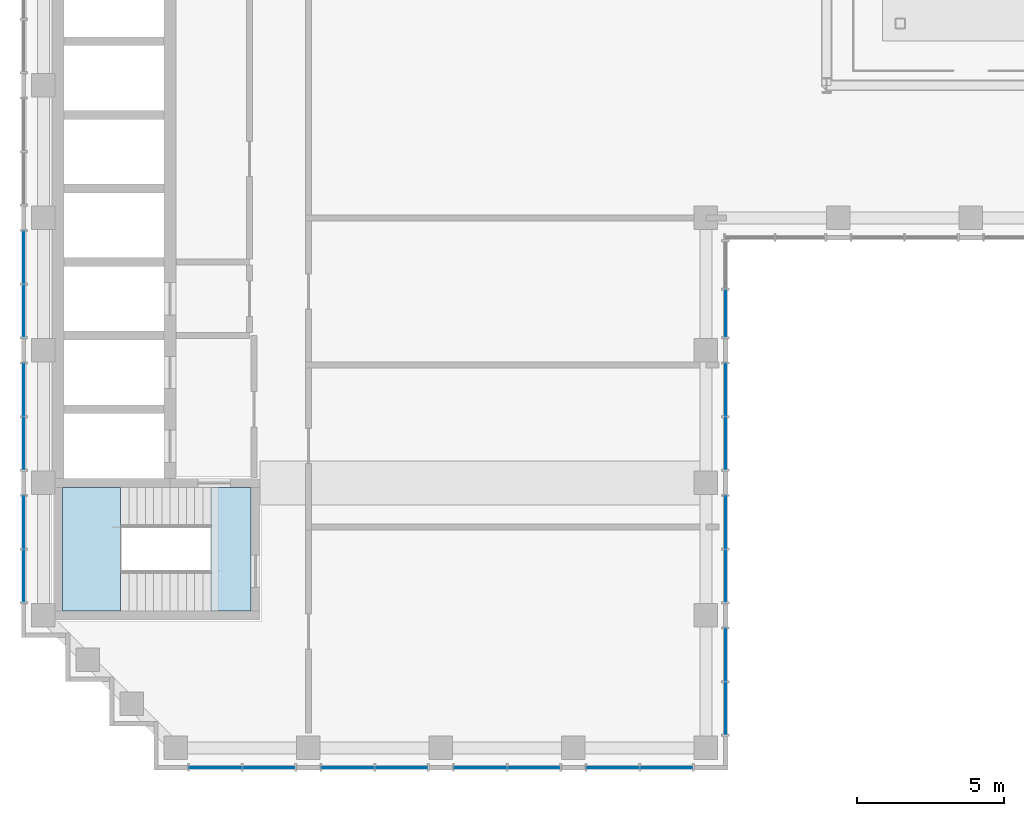
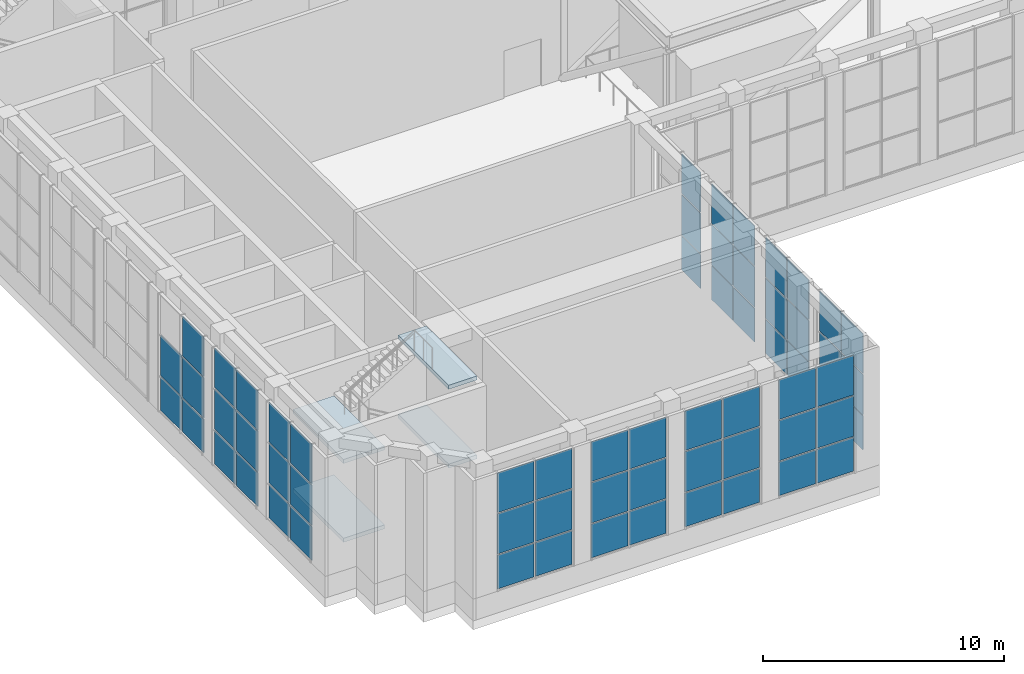
# One storey, part 9 of 17: 62 plates, 4 slabs, 12 elements without a shape of their own.
"""IFC4 building model written with IfcOpenShell, lengths in metres."""

from ifc_helpers import new_model, si_unit, direction, frame, origin, origin_2d, place, context, subcontext, project, spatial, polyline, rectangle, outline, extrude, material, layer, layer_set, type_object, element, aggregate, save


model = new_model("IFC4")

# Units and contexts
model_context = context("Model", 3, precision=1e-05, world=origin(), true_north=direction((0.0, 1.0)))
body_context = subcontext(model_context, "Body", "Model", "MODEL_VIEW")
ifc_project = project(units=[si_unit("LENGTHUNIT", "METRE"), si_unit("AREAUNIT", "SQUARE_METRE"), si_unit("VOLUMEUNIT", "CUBIC_METRE"), si_unit("PLANEANGLEUNIT", "RADIAN"), si_unit("MASSUNIT", "GRAM", prefix="KILO")], contexts=[model_context])

# Site, building, storey
site_placement = place(None, origin())
site = spatial("IfcSite", under=ifc_project, at=site_placement, CompositionType="ELEMENT")
building_placement = place(site_placement, origin())
building = spatial("IfcBuilding", under=site, at=building_placement, Name="Firuza Court", CompositionType="ELEMENT")
storey_placement = place(building_placement, frame((0.0, 0.0, 258.199951171875)))
storey = spatial("IfcBuildingStorey", under=building, at=storey_placement, Name="L67", CompositionType="ELEMENT", Elevation=258.199951171875)

# Curtain wall, plates
ifc_material_1 = material(Name="Aluminium curtain wall, triple clear glazing", Category="aluminium")
curtain_wall_type = type_object("IfcCurtainWallType", Name="Damper hall structural glazing CW4", PredefinedType="NOTDEFINED", material=ifc_material_1)
curtain_wall_1_placement = place(storey_placement, origin())
curtain_wall_1 = element("IfcCurtainWall", 1, at=curtain_wall_1_placement, inside=storey, type_object=curtain_wall_type, Name="Damper hall structural glazing CW4 L67", PredefinedType="NOTDEFINED")
ifc_material_2 = material(Name="Triple clear glazing", Category="glass")
ifc_layer_1 = layer(ifc_material_2, 0.031982421875)
ifc_layer_set_1 = layer_set([ifc_layer_1], Name="Triple clear glazing")
plate_type = type_object("IfcPlateType", Name="Glazed panel 32 CW4", PredefinedType="CURTAIN_PANEL", material=ifc_layer_set_1)
plate_1_placement = place(storey_placement, frame((5.840087890625, 17.330078125, 1.16015625), z_axis=(0.0, 0.0, 1.0), x_axis=(1.0, 0.0, 0.0)))
plate_1 = element("IfcPlate", 2, at=plate_1_placement, type_object=plate_type, Name="CW4 panel 1.1", PredefinedType="CURTAIN_PANEL", context=body_context, shape_type="SweptSolid", body=[
    extrude(rectangle(XDim=1.760009765625, YDim=0.031982421875, at=origin_2d()), origin(), (0.0, 0.0, 1.0), 1.7099609375),
])
plate_2_placement = place(storey_placement, frame((5.840087890625, 17.330078125, 2.929931640625), z_axis=(0.0, 0.0, 1.0), x_axis=(1.0, 0.0, 0.0)))
plate_2 = element("IfcPlate", 3, at=plate_2_placement, type_object=plate_type, Name="CW4 panel 1.2", PredefinedType="CURTAIN_PANEL", context=body_context, shape_type="SweptSolid", body=[
    extrude(rectangle(XDim=1.760009765625, YDim=0.031982421875, at=origin_2d()), origin(), (0.0, 0.0, 1.0), 2.0400390625),
])
plate_3_placement = place(storey_placement, frame((5.840087890625, 17.330078125, 5.0302734375), z_axis=(0.0, 0.0, 1.0), x_axis=(1.0, 0.0, 0.0)))
plate_3 = element("IfcPlate", 4, at=plate_3_placement, type_object=plate_type, Name="CW4 panel 1.3", PredefinedType="CURTAIN_PANEL", context=body_context, shape_type="SweptSolid", body=[
    extrude(rectangle(XDim=1.760009765625, YDim=0.031982421875, at=origin_2d()), origin(), (0.0, 0.0, 1.0), 2.010009765625),
])
plate_4_placement = place(storey_placement, frame((7.659912109375, 17.330078125, 1.16015625), z_axis=(0.0, 0.0, 1.0), x_axis=(1.0, 0.0, 0.0)))
plate_4 = element("IfcPlate", 5, at=plate_4_placement, type_object=plate_type, Name="CW4 panel 2.1", PredefinedType="CURTAIN_PANEL", context=body_context, shape_type="SweptSolid", body=[
    extrude(rectangle(XDim=1.760009765625, YDim=0.031982421875, at=origin_2d()), origin(), (0.0, 0.0, 1.0), 1.7099609375),
])
plate_5_placement = place(storey_placement, frame((7.659912109375, 17.330078125, 2.929931640625), z_axis=(0.0, 0.0, 1.0), x_axis=(1.0, 0.0, 0.0)))
plate_5 = element("IfcPlate", 6, at=plate_5_placement, type_object=plate_type, Name="CW4 panel 2.2", PredefinedType="CURTAIN_PANEL", context=body_context, shape_type="SweptSolid", body=[
    extrude(rectangle(XDim=1.760009765625, YDim=0.031982421875, at=origin_2d()), origin(), (0.0, 0.0, 1.0), 2.0400390625),
])
plate_6_placement = place(storey_placement, frame((7.659912109375, 17.330078125, 5.0302734375), z_axis=(0.0, 0.0, 1.0), x_axis=(1.0, 0.0, 0.0)))
plate_6 = element("IfcPlate", 7, at=plate_6_placement, type_object=plate_type, Name="CW4 panel 2.3", PredefinedType="CURTAIN_PANEL", context=body_context, shape_type="SweptSolid", body=[
    extrude(rectangle(XDim=1.760009765625, YDim=0.031982421875, at=origin_2d()), origin(), (0.0, 0.0, 1.0), 2.010009765625),
])
aggregate(curtain_wall_1, [plate_1, plate_2, plate_3, plate_4, plate_5, plate_6])

curtain_wall_2_placement = place(storey_placement, origin())
curtain_wall_2 = element("IfcCurtainWall", 8, at=curtain_wall_2_placement, inside=storey, type_object=curtain_wall_type, Name="Damper hall structural glazing CW4 L67", PredefinedType="NOTDEFINED")
plate_7_placement = place(storey_placement, frame((10.340087890625, 17.330078125, 1.16015625), z_axis=(0.0, 0.0, 1.0), x_axis=(1.0, 0.0, 0.0)))
plate_7 = element("IfcPlate", 9, at=plate_7_placement, type_object=plate_type, Name="CW4 panel 1.1", PredefinedType="CURTAIN_PANEL", context=body_context, shape_type="SweptSolid", body=[
    extrude(rectangle(XDim=1.760009765625, YDim=0.031982421875, at=origin_2d()), origin(), (0.0, 0.0, 1.0), 1.7099609375),
])
plate_8_placement = place(storey_placement, frame((10.340087890625, 17.330078125, 2.929931640625), z_axis=(0.0, 0.0, 1.0), x_axis=(1.0, 0.0, 0.0)))
plate_8 = element("IfcPlate", 10, at=plate_8_placement, type_object=plate_type, Name="CW4 panel 1.2", PredefinedType="CURTAIN_PANEL", context=body_context, shape_type="SweptSolid", body=[
    extrude(rectangle(XDim=1.760009765625, YDim=0.031982421875, at=origin_2d()), origin(), (0.0, 0.0, 1.0), 2.0400390625),
])
plate_9_placement = place(storey_placement, frame((10.340087890625, 17.330078125, 5.0302734375), z_axis=(0.0, 0.0, 1.0), x_axis=(1.0, 0.0, 0.0)))
plate_9 = element("IfcPlate", 11, at=plate_9_placement, type_object=plate_type, Name="CW4 panel 1.3", PredefinedType="CURTAIN_PANEL", context=body_context, shape_type="SweptSolid", body=[
    extrude(rectangle(XDim=1.760009765625, YDim=0.031982421875, at=origin_2d()), origin(), (0.0, 0.0, 1.0), 2.010009765625),
])
plate_10_placement = place(storey_placement, frame((12.159912109375, 17.330078125, 1.16015625), z_axis=(0.0, 0.0, 1.0), x_axis=(1.0, 0.0, 0.0)))
plate_10 = element("IfcPlate", 12, at=plate_10_placement, type_object=plate_type, Name="CW4 panel 2.1", PredefinedType="CURTAIN_PANEL", context=body_context, shape_type="SweptSolid", body=[
    extrude(rectangle(XDim=1.760009765625, YDim=0.031982421875, at=origin_2d()), origin(), (0.0, 0.0, 1.0), 1.7099609375),
])
plate_11_placement = place(storey_placement, frame((12.159912109375, 17.330078125, 2.929931640625), z_axis=(0.0, 0.0, 1.0), x_axis=(1.0, 0.0, 0.0)))
plate_11 = element("IfcPlate", 13, at=plate_11_placement, type_object=plate_type, Name="CW4 panel 2.2", PredefinedType="CURTAIN_PANEL", context=body_context, shape_type="SweptSolid", body=[
    extrude(rectangle(XDim=1.760009765625, YDim=0.031982421875, at=origin_2d()), origin(), (0.0, 0.0, 1.0), 2.0400390625),
])
plate_12_placement = place(storey_placement, frame((12.159912109375, 17.330078125, 5.0302734375), z_axis=(0.0, 0.0, 1.0), x_axis=(1.0, 0.0, 0.0)))
plate_12 = element("IfcPlate", 14, at=plate_12_placement, type_object=plate_type, Name="CW4 panel 2.3", PredefinedType="CURTAIN_PANEL", context=body_context, shape_type="SweptSolid", body=[
    extrude(rectangle(XDim=1.760009765625, YDim=0.031982421875, at=origin_2d()), origin(), (0.0, 0.0, 1.0), 2.010009765625),
])
aggregate(curtain_wall_2, [plate_7, plate_8, plate_9, plate_10, plate_11, plate_12])

curtain_wall_3_placement = place(storey_placement, origin())
curtain_wall_3 = element("IfcCurtainWall", 15, at=curtain_wall_3_placement, inside=storey, type_object=curtain_wall_type, Name="Damper hall structural glazing CW4 L67", PredefinedType="NOTDEFINED")
plate_13_placement = place(storey_placement, frame((14.840087890625, 17.330078125, 1.16015625), z_axis=(0.0, 0.0, 1.0), x_axis=(1.0, 0.0, 0.0)))
plate_13 = element("IfcPlate", 16, at=plate_13_placement, type_object=plate_type, Name="CW4 panel 1.1", PredefinedType="CURTAIN_PANEL", context=body_context, shape_type="SweptSolid", body=[
    extrude(rectangle(XDim=1.760009765625, YDim=0.031982421875, at=origin_2d()), origin(), (0.0, 0.0, 1.0), 1.7099609375),
])
plate_14_placement = place(storey_placement, frame((14.840087890625, 17.330078125, 2.929931640625), z_axis=(0.0, 0.0, 1.0), x_axis=(1.0, 0.0, 0.0)))
plate_14 = element("IfcPlate", 17, at=plate_14_placement, type_object=plate_type, Name="CW4 panel 1.2", PredefinedType="CURTAIN_PANEL", context=body_context, shape_type="SweptSolid", body=[
    extrude(rectangle(XDim=1.760009765625, YDim=0.031982421875, at=origin_2d()), origin(), (0.0, 0.0, 1.0), 2.0400390625),
])
plate_15_placement = place(storey_placement, frame((14.840087890625, 17.330078125, 5.0302734375), z_axis=(0.0, 0.0, 1.0), x_axis=(1.0, 0.0, 0.0)))
plate_15 = element("IfcPlate", 18, at=plate_15_placement, type_object=plate_type, Name="CW4 panel 1.3", PredefinedType="CURTAIN_PANEL", context=body_context, shape_type="SweptSolid", body=[
    extrude(rectangle(XDim=1.760009765625, YDim=0.031982421875, at=origin_2d()), origin(), (0.0, 0.0, 1.0), 2.010009765625),
])
plate_16_placement = place(storey_placement, frame((16.659912109375, 17.330078125, 1.16015625), z_axis=(0.0, 0.0, 1.0), x_axis=(1.0, 0.0, 0.0)))
plate_16 = element("IfcPlate", 19, at=plate_16_placement, type_object=plate_type, Name="CW4 panel 2.1", PredefinedType="CURTAIN_PANEL", context=body_context, shape_type="SweptSolid", body=[
    extrude(rectangle(XDim=1.760009765625, YDim=0.031982421875, at=origin_2d()), origin(), (0.0, 0.0, 1.0), 1.7099609375),
])
plate_17_placement = place(storey_placement, frame((16.659912109375, 17.330078125, 2.929931640625), z_axis=(0.0, 0.0, 1.0), x_axis=(1.0, 0.0, 0.0)))
plate_17 = element("IfcPlate", 20, at=plate_17_placement, type_object=plate_type, Name="CW4 panel 2.2", PredefinedType="CURTAIN_PANEL", context=body_context, shape_type="SweptSolid", body=[
    extrude(rectangle(XDim=1.760009765625, YDim=0.031982421875, at=origin_2d()), origin(), (0.0, 0.0, 1.0), 2.0400390625),
])
plate_18_placement = place(storey_placement, frame((16.659912109375, 17.330078125, 5.0302734375), z_axis=(0.0, 0.0, 1.0), x_axis=(1.0, 0.0, 0.0)))
plate_18 = element("IfcPlate", 21, at=plate_18_placement, type_object=plate_type, Name="CW4 panel 2.3", PredefinedType="CURTAIN_PANEL", context=body_context, shape_type="SweptSolid", body=[
    extrude(rectangle(XDim=1.760009765625, YDim=0.031982421875, at=origin_2d()), origin(), (0.0, 0.0, 1.0), 2.010009765625),
])
aggregate(curtain_wall_3, [plate_13, plate_14, plate_15, plate_16, plate_17, plate_18])

curtain_wall_4_placement = place(storey_placement, origin())
curtain_wall_4 = element("IfcCurtainWall", 22, at=curtain_wall_4_placement, inside=storey, type_object=curtain_wall_type, Name="Damper hall structural glazing CW4 L67", PredefinedType="NOTDEFINED")
plate_19_placement = place(storey_placement, frame((19.340087890625, 17.330078125, 1.16015625), z_axis=(0.0, 0.0, 1.0), x_axis=(1.0, 0.0, 0.0)))
plate_19 = element("IfcPlate", 23, at=plate_19_placement, type_object=plate_type, Name="CW4 panel 1.1", PredefinedType="CURTAIN_PANEL", context=body_context, shape_type="SweptSolid", body=[
    extrude(rectangle(XDim=1.760009765625, YDim=0.031982421875, at=origin_2d()), origin(), (0.0, 0.0, 1.0), 1.7099609375),
])
plate_20_placement = place(storey_placement, frame((19.340087890625, 17.330078125, 2.929931640625), z_axis=(0.0, 0.0, 1.0), x_axis=(1.0, 0.0, 0.0)))
plate_20 = element("IfcPlate", 24, at=plate_20_placement, type_object=plate_type, Name="CW4 panel 1.2", PredefinedType="CURTAIN_PANEL", context=body_context, shape_type="SweptSolid", body=[
    extrude(rectangle(XDim=1.760009765625, YDim=0.031982421875, at=origin_2d()), origin(), (0.0, 0.0, 1.0), 2.0400390625),
])
plate_21_placement = place(storey_placement, frame((19.340087890625, 17.330078125, 5.0302734375), z_axis=(0.0, 0.0, 1.0), x_axis=(1.0, 0.0, 0.0)))
plate_21 = element("IfcPlate", 25, at=plate_21_placement, type_object=plate_type, Name="CW4 panel 1.3", PredefinedType="CURTAIN_PANEL", context=body_context, shape_type="SweptSolid", body=[
    extrude(rectangle(XDim=1.760009765625, YDim=0.031982421875, at=origin_2d()), origin(), (0.0, 0.0, 1.0), 2.010009765625),
])
plate_22_placement = place(storey_placement, frame((21.159912109375, 17.330078125, 1.16015625), z_axis=(0.0, 0.0, 1.0), x_axis=(1.0, 0.0, 0.0)))
plate_22 = element("IfcPlate", 26, at=plate_22_placement, type_object=plate_type, Name="CW4 panel 2.1", PredefinedType="CURTAIN_PANEL", context=body_context, shape_type="SweptSolid", body=[
    extrude(rectangle(XDim=1.760009765625, YDim=0.031982421875, at=origin_2d()), origin(), (0.0, 0.0, 1.0), 1.7099609375),
])
plate_23_placement = place(storey_placement, frame((21.159912109375, 17.330078125, 2.929931640625), z_axis=(0.0, 0.0, 1.0), x_axis=(1.0, 0.0, 0.0)))
plate_23 = element("IfcPlate", 27, at=plate_23_placement, type_object=plate_type, Name="CW4 panel 2.2", PredefinedType="CURTAIN_PANEL", context=body_context, shape_type="SweptSolid", body=[
    extrude(rectangle(XDim=1.760009765625, YDim=0.031982421875, at=origin_2d()), origin(), (0.0, 0.0, 1.0), 2.0400390625),
])
plate_24_placement = place(storey_placement, frame((21.159912109375, 17.330078125, 5.0302734375), z_axis=(0.0, 0.0, 1.0), x_axis=(1.0, 0.0, 0.0)))
plate_24 = element("IfcPlate", 28, at=plate_24_placement, type_object=plate_type, Name="CW4 panel 2.3", PredefinedType="CURTAIN_PANEL", context=body_context, shape_type="SweptSolid", body=[
    extrude(rectangle(XDim=1.760009765625, YDim=0.031982421875, at=origin_2d()), origin(), (0.0, 0.0, 1.0), 2.010009765625),
])
aggregate(curtain_wall_4, [plate_19, plate_20, plate_21, plate_22, plate_23, plate_24])

curtain_wall_5_placement = place(storey_placement, origin())
curtain_wall_5 = element("IfcCurtainWall", 29, at=curtain_wall_5_placement, inside=storey, type_object=curtain_wall_type, Name="Damper hall structural glazing CW4 L67", PredefinedType="NOTDEFINED")
plate_25_placement = place(storey_placement, frame((23.169921875, 19.340087890625, 1.16015625), z_axis=(0.0, 0.0, 1.0), x_axis=(0.0, 1.0, 0.0)))
plate_25 = element("IfcPlate", 30, at=plate_25_placement, type_object=plate_type, Name="CW4 panel 1.1", PredefinedType="CURTAIN_PANEL", context=body_context, shape_type="SweptSolid", body=[
    extrude(rectangle(XDim=1.760009765625, YDim=0.031982421875, at=origin_2d()), origin(), (0.0, 0.0, 1.0), 1.7099609375),
])
plate_26_placement = place(storey_placement, frame((23.169921875, 19.340087890625, 2.929931640625), z_axis=(0.0, 0.0, 1.0), x_axis=(0.0, 1.0, 0.0)))
plate_26 = element("IfcPlate", 31, at=plate_26_placement, type_object=plate_type, Name="CW4 panel 1.2", PredefinedType="CURTAIN_PANEL", context=body_context, shape_type="SweptSolid", body=[
    extrude(rectangle(XDim=1.760009765625, YDim=0.031982421875, at=origin_2d()), origin(), (0.0, 0.0, 1.0), 2.0400390625),
])
plate_27_placement = place(storey_placement, frame((23.169921875, 19.340087890625, 5.0302734375), z_axis=(0.0, 0.0, 1.0), x_axis=(0.0, 1.0, 0.0)))
plate_27 = element("IfcPlate", 32, at=plate_27_placement, type_object=plate_type, Name="CW4 panel 1.3", PredefinedType="CURTAIN_PANEL", context=body_context, shape_type="SweptSolid", body=[
    extrude(rectangle(XDim=1.760009765625, YDim=0.031982421875, at=origin_2d()), origin(), (0.0, 0.0, 1.0), 2.010009765625),
])
plate_28_placement = place(storey_placement, frame((23.169921875, 21.159912109375, 1.16015625), z_axis=(0.0, 0.0, 1.0), x_axis=(0.0, 1.0, 0.0)))
plate_28 = element("IfcPlate", 33, at=plate_28_placement, type_object=plate_type, Name="CW4 panel 2.1", PredefinedType="CURTAIN_PANEL", context=body_context, shape_type="SweptSolid", body=[
    extrude(rectangle(XDim=1.760009765625, YDim=0.031982421875, at=origin_2d()), origin(), (0.0, 0.0, 1.0), 1.7099609375),
])
plate_29_placement = place(storey_placement, frame((23.169921875, 21.159912109375, 2.929931640625), z_axis=(0.0, 0.0, 1.0), x_axis=(0.0, 1.0, 0.0)))
plate_29 = element("IfcPlate", 34, at=plate_29_placement, type_object=plate_type, Name="CW4 panel 2.2", PredefinedType="CURTAIN_PANEL", context=body_context, shape_type="SweptSolid", body=[
    extrude(rectangle(XDim=1.760009765625, YDim=0.031982421875, at=origin_2d()), origin(), (0.0, 0.0, 1.0), 2.0400390625),
])
plate_30_placement = place(storey_placement, frame((23.169921875, 21.159912109375, 5.0302734375), z_axis=(0.0, 0.0, 1.0), x_axis=(0.0, 1.0, 0.0)))
plate_30 = element("IfcPlate", 35, at=plate_30_placement, type_object=plate_type, Name="CW4 panel 2.3", PredefinedType="CURTAIN_PANEL", context=body_context, shape_type="SweptSolid", body=[
    extrude(rectangle(XDim=1.760009765625, YDim=0.031982421875, at=origin_2d()), origin(), (0.0, 0.0, 1.0), 2.010009765625),
])
aggregate(curtain_wall_5, [plate_25, plate_26, plate_27, plate_28, plate_29, plate_30])

curtain_wall_6_placement = place(storey_placement, origin())
curtain_wall_6 = element("IfcCurtainWall", 36, at=curtain_wall_6_placement, inside=storey, type_object=curtain_wall_type, Name="Damper hall structural glazing CW4 L67", PredefinedType="NOTDEFINED")
plate_31_placement = place(storey_placement, frame((23.169921875, 23.840087890625, 1.16015625), z_axis=(0.0, 0.0, 1.0), x_axis=(0.0, 1.0, 0.0)))
plate_31 = element("IfcPlate", 37, at=plate_31_placement, type_object=plate_type, Name="CW4 panel 1.1", PredefinedType="CURTAIN_PANEL", context=body_context, shape_type="SweptSolid", body=[
    extrude(rectangle(XDim=1.760009765625, YDim=0.031982421875, at=origin_2d()), origin(), (0.0, 0.0, 1.0), 1.7099609375),
])
plate_32_placement = place(storey_placement, frame((23.169921875, 23.840087890625, 2.929931640625), z_axis=(0.0, 0.0, 1.0), x_axis=(0.0, 1.0, 0.0)))
plate_32 = element("IfcPlate", 38, at=plate_32_placement, type_object=plate_type, Name="CW4 panel 1.2", PredefinedType="CURTAIN_PANEL", context=body_context, shape_type="SweptSolid", body=[
    extrude(rectangle(XDim=1.760009765625, YDim=0.031982421875, at=origin_2d()), origin(), (0.0, 0.0, 1.0), 2.0400390625),
])
plate_33_placement = place(storey_placement, frame((23.169921875, 23.840087890625, 5.0302734375), z_axis=(0.0, 0.0, 1.0), x_axis=(0.0, 1.0, 0.0)))
plate_33 = element("IfcPlate", 39, at=plate_33_placement, type_object=plate_type, Name="CW4 panel 1.3", PredefinedType="CURTAIN_PANEL", context=body_context, shape_type="SweptSolid", body=[
    extrude(rectangle(XDim=1.760009765625, YDim=0.031982421875, at=origin_2d()), origin(), (0.0, 0.0, 1.0), 2.010009765625),
])
plate_34_placement = place(storey_placement, frame((23.169921875, 25.659912109375, 1.16015625), z_axis=(0.0, 0.0, 1.0), x_axis=(0.0, 1.0, 0.0)))
plate_34 = element("IfcPlate", 40, at=plate_34_placement, type_object=plate_type, Name="CW4 panel 2.1", PredefinedType="CURTAIN_PANEL", context=body_context, shape_type="SweptSolid", body=[
    extrude(rectangle(XDim=1.760009765625, YDim=0.031982421875, at=origin_2d()), origin(), (0.0, 0.0, 1.0), 1.7099609375),
])
plate_35_placement = place(storey_placement, frame((23.169921875, 25.659912109375, 2.929931640625), z_axis=(0.0, 0.0, 1.0), x_axis=(0.0, 1.0, 0.0)))
plate_35 = element("IfcPlate", 41, at=plate_35_placement, type_object=plate_type, Name="CW4 panel 2.2", PredefinedType="CURTAIN_PANEL", context=body_context, shape_type="SweptSolid", body=[
    extrude(rectangle(XDim=1.760009765625, YDim=0.031982421875, at=origin_2d()), origin(), (0.0, 0.0, 1.0), 2.0400390625),
])
plate_36_placement = place(storey_placement, frame((23.169921875, 25.659912109375, 5.0302734375), z_axis=(0.0, 0.0, 1.0), x_axis=(0.0, 1.0, 0.0)))
plate_36 = element("IfcPlate", 42, at=plate_36_placement, type_object=plate_type, Name="CW4 panel 2.3", PredefinedType="CURTAIN_PANEL", context=body_context, shape_type="SweptSolid", body=[
    extrude(rectangle(XDim=1.760009765625, YDim=0.031982421875, at=origin_2d()), origin(), (0.0, 0.0, 1.0), 2.010009765625),
])
aggregate(curtain_wall_6, [plate_31, plate_32, plate_33, plate_34, plate_35, plate_36])

curtain_wall_7_placement = place(storey_placement, origin())
curtain_wall_7 = element("IfcCurtainWall", 43, at=curtain_wall_7_placement, inside=storey, type_object=curtain_wall_type, Name="Damper hall structural glazing CW4 L67", PredefinedType="NOTDEFINED")
plate_37_placement = place(storey_placement, frame((23.169921875, 28.340087890625, 1.16015625), z_axis=(0.0, 0.0, 1.0), x_axis=(0.0, 1.0, 0.0)))
plate_37 = element("IfcPlate", 44, at=plate_37_placement, type_object=plate_type, Name="CW4 panel 1.1", PredefinedType="CURTAIN_PANEL", context=body_context, shape_type="SweptSolid", body=[
    extrude(rectangle(XDim=1.760009765625, YDim=0.031982421875, at=origin_2d()), origin(), (0.0, 0.0, 1.0), 1.7099609375),
])
plate_38_placement = place(storey_placement, frame((23.169921875, 28.340087890625, 2.929931640625), z_axis=(0.0, 0.0, 1.0), x_axis=(0.0, 1.0, 0.0)))
plate_38 = element("IfcPlate", 45, at=plate_38_placement, type_object=plate_type, Name="CW4 panel 1.2", PredefinedType="CURTAIN_PANEL", context=body_context, shape_type="SweptSolid", body=[
    extrude(rectangle(XDim=1.760009765625, YDim=0.031982421875, at=origin_2d()), origin(), (0.0, 0.0, 1.0), 2.0400390625),
])
plate_39_placement = place(storey_placement, frame((23.169921875, 28.340087890625, 5.0302734375), z_axis=(0.0, 0.0, 1.0), x_axis=(0.0, 1.0, 0.0)))
plate_39 = element("IfcPlate", 46, at=plate_39_placement, type_object=plate_type, Name="CW4 panel 1.3", PredefinedType="CURTAIN_PANEL", context=body_context, shape_type="SweptSolid", body=[
    extrude(rectangle(XDim=1.760009765625, YDim=0.031982421875, at=origin_2d()), origin(), (0.0, 0.0, 1.0), 2.010009765625),
])
plate_40_placement = place(storey_placement, frame((23.169921875, 30.159912109375, 1.16015625), z_axis=(0.0, 0.0, 1.0), x_axis=(0.0, 1.0, 0.0)))
plate_40 = element("IfcPlate", 47, at=plate_40_placement, type_object=plate_type, Name="CW4 panel 2.1", PredefinedType="CURTAIN_PANEL", context=body_context, shape_type="SweptSolid", body=[
    extrude(rectangle(XDim=1.760009765625, YDim=0.031982421875, at=origin_2d()), origin(), (0.0, 0.0, 1.0), 1.7099609375),
])
plate_41_placement = place(storey_placement, frame((23.169921875, 30.159912109375, 2.929931640625), z_axis=(0.0, 0.0, 1.0), x_axis=(0.0, 1.0, 0.0)))
plate_41 = element("IfcPlate", 48, at=plate_41_placement, type_object=plate_type, Name="CW4 panel 2.2", PredefinedType="CURTAIN_PANEL", context=body_context, shape_type="SweptSolid", body=[
    extrude(rectangle(XDim=1.760009765625, YDim=0.031982421875, at=origin_2d()), origin(), (0.0, 0.0, 1.0), 2.0400390625),
])
plate_42_placement = place(storey_placement, frame((23.169921875, 30.159912109375, 5.0302734375), z_axis=(0.0, 0.0, 1.0), x_axis=(0.0, 1.0, 0.0)))
plate_42 = element("IfcPlate", 49, at=plate_42_placement, type_object=plate_type, Name="CW4 panel 2.3", PredefinedType="CURTAIN_PANEL", context=body_context, shape_type="SweptSolid", body=[
    extrude(rectangle(XDim=1.760009765625, YDim=0.031982421875, at=origin_2d()), origin(), (0.0, 0.0, 1.0), 2.010009765625),
])
aggregate(curtain_wall_7, [plate_37, plate_38, plate_39, plate_40, plate_41, plate_42])

curtain_wall_8_placement = place(storey_placement, origin())
curtain_wall_8 = element("IfcCurtainWall", 50, at=curtain_wall_8_placement, inside=storey, type_object=curtain_wall_type, Name="Damper hall structural glazing CW4 L67", PredefinedType="NOTDEFINED")
plate_43_placement = place(storey_placement, frame((23.169921875, 32.75244140625, 1.16015625), z_axis=(0.0, 0.0, 1.0), x_axis=(0.0, 1.0, 0.0)))
plate_43 = element("IfcPlate", 51, at=plate_43_placement, type_object=plate_type, Name="CW4 panel 1.1", PredefinedType="CURTAIN_PANEL", context=body_context, shape_type="SweptSolid", body=[
    extrude(rectangle(XDim=1.5849609375, YDim=0.031982421875, at=origin_2d()), origin(), (0.0, 0.0, 1.0), 1.7099609375),
])
plate_44_placement = place(storey_placement, frame((23.169921875, 32.75244140625, 2.929931640625), z_axis=(0.0, 0.0, 1.0), x_axis=(0.0, 1.0, 0.0)))
plate_44 = element("IfcPlate", 52, at=plate_44_placement, type_object=plate_type, Name="CW4 panel 1.2", PredefinedType="CURTAIN_PANEL", context=body_context, shape_type="SweptSolid", body=[
    extrude(rectangle(XDim=1.5849609375, YDim=0.031982421875, at=origin_2d()), origin(), (0.0, 0.0, 1.0), 2.0400390625),
])
plate_45_placement = place(storey_placement, frame((23.169921875, 32.75244140625, 5.0302734375), z_axis=(0.0, 0.0, 1.0), x_axis=(0.0, 1.0, 0.0)))
plate_45 = element("IfcPlate", 53, at=plate_45_placement, type_object=plate_type, Name="CW4 panel 1.3", PredefinedType="CURTAIN_PANEL", context=body_context, shape_type="SweptSolid", body=[
    extrude(rectangle(XDim=1.5849609375, YDim=0.031982421875, at=origin_2d()), origin(), (0.0, 0.0, 1.0), 2.010009765625),
])
aggregate(curtain_wall_8, [plate_43, plate_44, plate_45])

curtain_wall_9_placement = place(storey_placement, origin())
curtain_wall_9 = element("IfcCurtainWall", 54, at=curtain_wall_9_placement, inside=storey, type_object=curtain_wall_type, Name="Damper hall structural glazing CW4 L67", PredefinedType="NOTDEFINED")
plate_46_placement = place(storey_placement, frame((-0.669921875, 34.659912109375, 1.16015625), z_axis=(0.0, 0.0, 1.0), x_axis=(0.0, -1.0, 0.0)))
plate_46 = element("IfcPlate", 55, at=plate_46_placement, type_object=plate_type, Name="CW4 panel 1.1", PredefinedType="CURTAIN_PANEL", context=body_context, shape_type="SweptSolid", body=[
    extrude(rectangle(XDim=1.760009765625, YDim=0.031982421875, at=origin_2d()), origin(), (0.0, 0.0, 1.0), 1.7099609375),
])
plate_47_placement = place(storey_placement, frame((-0.669921875, 34.659912109375, 2.929931640625), z_axis=(0.0, 0.0, 1.0), x_axis=(0.0, -1.0, 0.0)))
plate_47 = element("IfcPlate", 56, at=plate_47_placement, type_object=plate_type, Name="CW4 panel 1.2", PredefinedType="CURTAIN_PANEL", context=body_context, shape_type="SweptSolid", body=[
    extrude(rectangle(XDim=1.760009765625, YDim=0.031982421875, at=origin_2d()), origin(), (0.0, 0.0, 1.0), 2.0400390625),
])
plate_48_placement = place(storey_placement, frame((-0.669921875, 32.840087890625, 1.16015625), z_axis=(0.0, 0.0, 1.0), x_axis=(0.0, -1.0, 0.0)))
plate_48 = element("IfcPlate", 57, at=plate_48_placement, type_object=plate_type, Name="CW4 panel 2.1", PredefinedType="CURTAIN_PANEL", context=body_context, shape_type="SweptSolid", body=[
    extrude(rectangle(XDim=1.760009765625, YDim=0.031982421875, at=origin_2d()), origin(), (0.0, 0.0, 1.0), 1.7099609375),
])
plate_49_placement = place(storey_placement, frame((-0.669921875, 32.840087890625, 2.929931640625), z_axis=(0.0, 0.0, 1.0), x_axis=(0.0, -1.0, 0.0)))
plate_49 = element("IfcPlate", 58, at=plate_49_placement, type_object=plate_type, Name="CW4 panel 2.2", PredefinedType="CURTAIN_PANEL", context=body_context, shape_type="SweptSolid", body=[
    extrude(rectangle(XDim=1.760009765625, YDim=0.031982421875, at=origin_2d()), origin(), (0.0, 0.0, 1.0), 2.0400390625),
])
plate_50_placement = place(storey_placement, frame((-0.669921875, 32.840087890625, 5.0302734375), z_axis=(0.0, 0.0, 1.0), x_axis=(0.0, -1.0, 0.0)))
plate_50 = element("IfcPlate", 59, at=plate_50_placement, type_object=plate_type, Name="CW4 panel 2.3", PredefinedType="CURTAIN_PANEL", context=body_context, shape_type="SweptSolid", body=[
    extrude(rectangle(XDim=1.760009765625, YDim=0.031982421875, at=origin_2d()), origin(), (0.0, 0.0, 1.0), 2.010009765625),
])
aggregate(curtain_wall_9, [plate_46, plate_47, plate_48, plate_49, plate_50])

curtain_wall_10_placement = place(storey_placement, origin())
curtain_wall_10 = element("IfcCurtainWall", 60, at=curtain_wall_10_placement, inside=storey, type_object=curtain_wall_type, Name="Damper hall structural glazing CW4 L67", PredefinedType="NOTDEFINED")
plate_51_placement = place(storey_placement, frame((-0.669921875, 30.159912109375, 1.16015625), z_axis=(0.0, 0.0, 1.0), x_axis=(0.0, -1.0, 0.0)))
plate_51 = element("IfcPlate", 61, at=plate_51_placement, type_object=plate_type, Name="CW4 panel 1.1", PredefinedType="CURTAIN_PANEL", context=body_context, shape_type="SweptSolid", body=[
    extrude(rectangle(XDim=1.760009765625, YDim=0.031982421875, at=origin_2d()), origin(), (0.0, 0.0, 1.0), 1.7099609375),
])
plate_52_placement = place(storey_placement, frame((-0.669921875, 30.159912109375, 2.929931640625), z_axis=(0.0, 0.0, 1.0), x_axis=(0.0, -1.0, 0.0)))
plate_52 = element("IfcPlate", 62, at=plate_52_placement, type_object=plate_type, Name="CW4 panel 1.2", PredefinedType="CURTAIN_PANEL", context=body_context, shape_type="SweptSolid", body=[
    extrude(rectangle(XDim=1.760009765625, YDim=0.031982421875, at=origin_2d()), origin(), (0.0, 0.0, 1.0), 2.0400390625),
])
plate_53_placement = place(storey_placement, frame((-0.669921875, 30.159912109375, 5.0302734375), z_axis=(0.0, 0.0, 1.0), x_axis=(0.0, -1.0, 0.0)))
plate_53 = element("IfcPlate", 63, at=plate_53_placement, type_object=plate_type, Name="CW4 panel 1.3", PredefinedType="CURTAIN_PANEL", context=body_context, shape_type="SweptSolid", body=[
    extrude(rectangle(XDim=1.760009765625, YDim=0.031982421875, at=origin_2d()), origin(), (0.0, 0.0, 1.0), 2.010009765625),
])
plate_54_placement = place(storey_placement, frame((-0.669921875, 28.340087890625, 1.16015625), z_axis=(0.0, 0.0, 1.0), x_axis=(0.0, -1.0, 0.0)))
plate_54 = element("IfcPlate", 64, at=plate_54_placement, type_object=plate_type, Name="CW4 panel 2.1", PredefinedType="CURTAIN_PANEL", context=body_context, shape_type="SweptSolid", body=[
    extrude(rectangle(XDim=1.760009765625, YDim=0.031982421875, at=origin_2d()), origin(), (0.0, 0.0, 1.0), 1.7099609375),
])
plate_55_placement = place(storey_placement, frame((-0.669921875, 28.340087890625, 2.929931640625), z_axis=(0.0, 0.0, 1.0), x_axis=(0.0, -1.0, 0.0)))
plate_55 = element("IfcPlate", 65, at=plate_55_placement, type_object=plate_type, Name="CW4 panel 2.2", PredefinedType="CURTAIN_PANEL", context=body_context, shape_type="SweptSolid", body=[
    extrude(rectangle(XDim=1.760009765625, YDim=0.031982421875, at=origin_2d()), origin(), (0.0, 0.0, 1.0), 2.0400390625),
])
plate_56_placement = place(storey_placement, frame((-0.669921875, 28.340087890625, 5.0302734375), z_axis=(0.0, 0.0, 1.0), x_axis=(0.0, -1.0, 0.0)))
plate_56 = element("IfcPlate", 66, at=plate_56_placement, type_object=plate_type, Name="CW4 panel 2.3", PredefinedType="CURTAIN_PANEL", context=body_context, shape_type="SweptSolid", body=[
    extrude(rectangle(XDim=1.760009765625, YDim=0.031982421875, at=origin_2d()), origin(), (0.0, 0.0, 1.0), 2.010009765625),
])
aggregate(curtain_wall_10, [plate_51, plate_52, plate_53, plate_54, plate_55, plate_56])

curtain_wall_11_placement = place(storey_placement, origin())
curtain_wall_11 = element("IfcCurtainWall", 67, at=curtain_wall_11_placement, inside=storey, type_object=curtain_wall_type, Name="Damper hall structural glazing CW4 L67", PredefinedType="NOTDEFINED")
plate_57_placement = place(storey_placement, frame((-0.669921875, 25.659912109375, 1.16015625), z_axis=(0.0, 0.0, 1.0), x_axis=(0.0, -1.0, 0.0)))
plate_57 = element("IfcPlate", 68, at=plate_57_placement, type_object=plate_type, Name="CW4 panel 1.1", PredefinedType="CURTAIN_PANEL", context=body_context, shape_type="SweptSolid", body=[
    extrude(rectangle(XDim=1.760009765625, YDim=0.031982421875, at=origin_2d()), origin(), (0.0, 0.0, 1.0), 1.7099609375),
])
plate_58_placement = place(storey_placement, frame((-0.669921875, 25.659912109375, 2.929931640625), z_axis=(0.0, 0.0, 1.0), x_axis=(0.0, -1.0, 0.0)))
plate_58 = element("IfcPlate", 69, at=plate_58_placement, type_object=plate_type, Name="CW4 panel 1.2", PredefinedType="CURTAIN_PANEL", context=body_context, shape_type="SweptSolid", body=[
    extrude(rectangle(XDim=1.760009765625, YDim=0.031982421875, at=origin_2d()), origin(), (0.0, 0.0, 1.0), 2.0400390625),
])
plate_59_placement = place(storey_placement, frame((-0.669921875, 25.659912109375, 5.0302734375), z_axis=(0.0, 0.0, 1.0), x_axis=(0.0, -1.0, 0.0)))
plate_59 = element("IfcPlate", 70, at=plate_59_placement, type_object=plate_type, Name="CW4 panel 1.3", PredefinedType="CURTAIN_PANEL", context=body_context, shape_type="SweptSolid", body=[
    extrude(rectangle(XDim=1.760009765625, YDim=0.031982421875, at=origin_2d()), origin(), (0.0, 0.0, 1.0), 2.010009765625),
])
plate_60_placement = place(storey_placement, frame((-0.669921875, 23.840087890625, 1.16015625), z_axis=(0.0, 0.0, 1.0), x_axis=(0.0, -1.0, 0.0)))
plate_60 = element("IfcPlate", 71, at=plate_60_placement, type_object=plate_type, Name="CW4 panel 2.1", PredefinedType="CURTAIN_PANEL", context=body_context, shape_type="SweptSolid", body=[
    extrude(rectangle(XDim=1.760009765625, YDim=0.031982421875, at=origin_2d()), origin(), (0.0, 0.0, 1.0), 1.7099609375),
])
plate_61_placement = place(storey_placement, frame((-0.669921875, 23.840087890625, 2.929931640625), z_axis=(0.0, 0.0, 1.0), x_axis=(0.0, -1.0, 0.0)))
plate_61 = element("IfcPlate", 72, at=plate_61_placement, type_object=plate_type, Name="CW4 panel 2.2", PredefinedType="CURTAIN_PANEL", context=body_context, shape_type="SweptSolid", body=[
    extrude(rectangle(XDim=1.760009765625, YDim=0.031982421875, at=origin_2d()), origin(), (0.0, 0.0, 1.0), 2.0400390625),
])
plate_62_placement = place(storey_placement, frame((-0.669921875, 23.840087890625, 5.0302734375), z_axis=(0.0, 0.0, 1.0), x_axis=(0.0, -1.0, 0.0)))
plate_62 = element("IfcPlate", 73, at=plate_62_placement, type_object=plate_type, Name="CW4 panel 2.3", PredefinedType="CURTAIN_PANEL", context=body_context, shape_type="SweptSolid", body=[
    extrude(rectangle(XDim=1.760009765625, YDim=0.031982421875, at=origin_2d()), origin(), (0.0, 0.0, 1.0), 2.010009765625),
])
aggregate(curtain_wall_11, [plate_57, plate_58, plate_59, plate_60, plate_61, plate_62])

# Stair, slabs
ifc_material_3 = material(Name="Concrete C40/50 precast", Category="concrete")
stair_type = type_object("IfcStairType", Name="Stair 1350 x 8000 4 flights", PredefinedType="QUARTER_TURN_STAIR", material=ifc_material_3)
stair_placement = place(storey_placement, origin())
stair = element("IfcStair", 74, at=stair_placement, inside=storey, type_object=stair_type, Name="Stair 2 L67", PredefinedType="QUARTER_TURN_STAIR")
ifc_material_4 = material(Name="Concrete C40/50 precast", Category="concrete")
ifc_layer_2 = layer(ifc_material_4, 0.199951171875)
ifc_layer_set_2 = layer_set([ifc_layer_2], Name="Concrete C40/50 precast")
slab_type = type_object("IfcSlabType", Name="Stair landing 200", PredefinedType="LANDING", material=ifc_layer_set_2)
slab_1_placement = place(storey_placement, frame((0.0, 0.0, 1.800048828125)))
slab_1 = element("IfcSlab", 75, at=slab_1_placement, type_object=slab_type, Name="S2 landing 1", PredefinedType="LANDING", context=body_context, shape_type="SweptSolid", body=[
    extrude(outline(polyline([(2.6201171875, 22.64990234375), (2.6201171875, 26.85009765625), (0.64990234375, 26.85009765625), (0.64990234375, 22.64990234375), (2.6201171875, 22.64990234375)])), origin(), (0.0, 0.0, 1.0), 0.199951171875),
])
slab_2_placement = place(storey_placement, frame((0.0, 0.0, 3.800048828125)))
slab_2 = element("IfcSlab", 76, at=slab_2_placement, type_object=slab_type, Name="S2 landing 2", PredefinedType="LANDING", context=body_context, shape_type="SweptSolid", body=[
    extrude(outline(polyline([(7.050048828125, 22.64990234375), (7.050048828125, 26.85009765625), (5.699951171875, 26.85009765625), (5.699951171875, 22.64990234375), (7.050048828125, 22.64990234375)])), origin(), (0.0, 0.0, 1.0), 0.199951171875),
])
slab_3_placement = place(storey_placement, frame((0.0, 0.0, 5.800048828125)))
slab_3 = element("IfcSlab", 77, at=slab_3_placement, type_object=slab_type, Name="S2 landing 3", PredefinedType="LANDING", context=body_context, shape_type="SweptSolid", body=[
    extrude(outline(polyline([(2.6201171875, 22.64990234375), (2.6201171875, 26.85009765625), (0.64990234375, 26.85009765625), (0.64990234375, 22.64990234375), (2.6201171875, 22.64990234375)])), origin(), (0.0, 0.0, 1.0), 0.199951171875),
])
slab_4_placement = place(storey_placement, frame((0.0, 0.0, 7.800048828125)))
slab_4 = element("IfcSlab", 78, at=slab_4_placement, type_object=slab_type, Name="S2 landing 4", PredefinedType="LANDING", context=body_context, shape_type="SweptSolid", body=[
    extrude(outline(polyline([(7.050048828125, 22.64990234375), (7.050048828125, 26.85009765625), (5.699951171875, 26.85009765625), (5.699951171875, 22.64990234375), (7.050048828125, 22.64990234375)])), origin(), (0.0, 0.0, 1.0), 0.199951171875),
])
aggregate(stair, [slab_1, slab_2, slab_3, slab_4])

save(model, "model.ifc")
